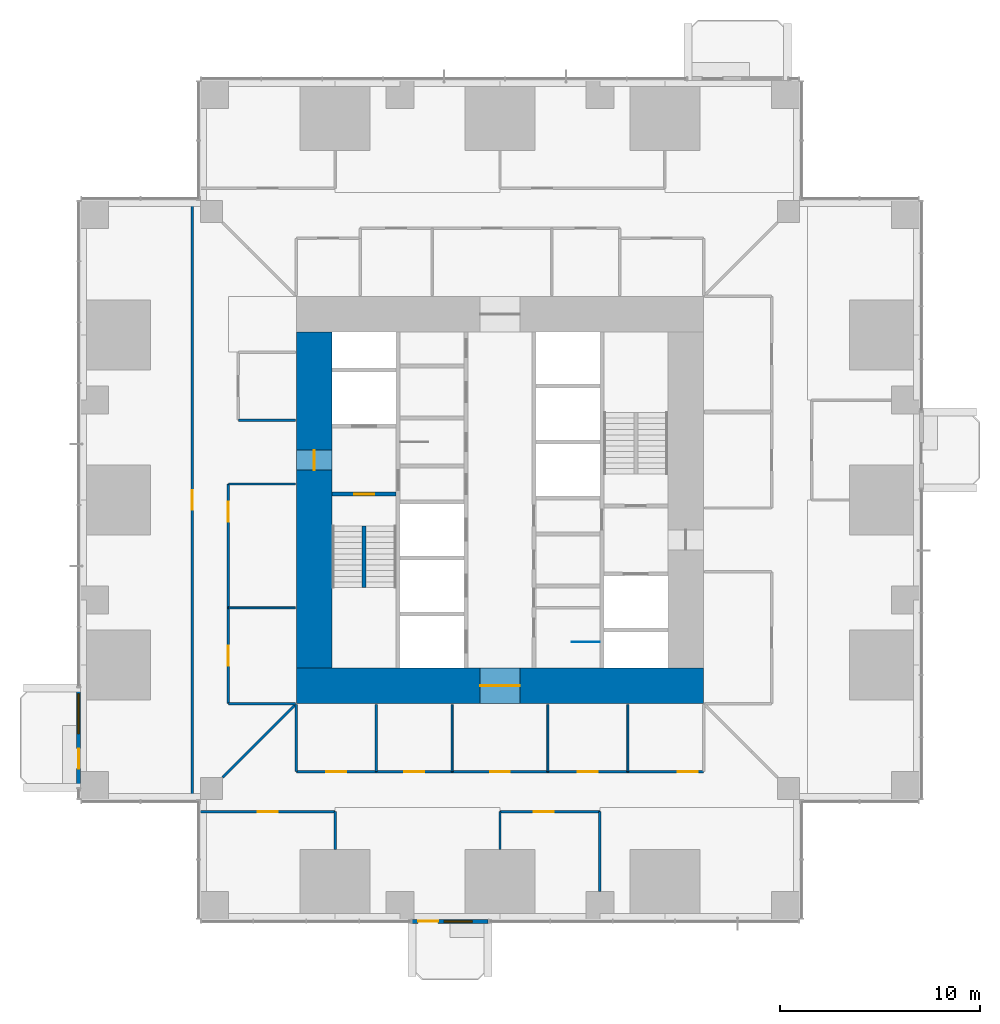
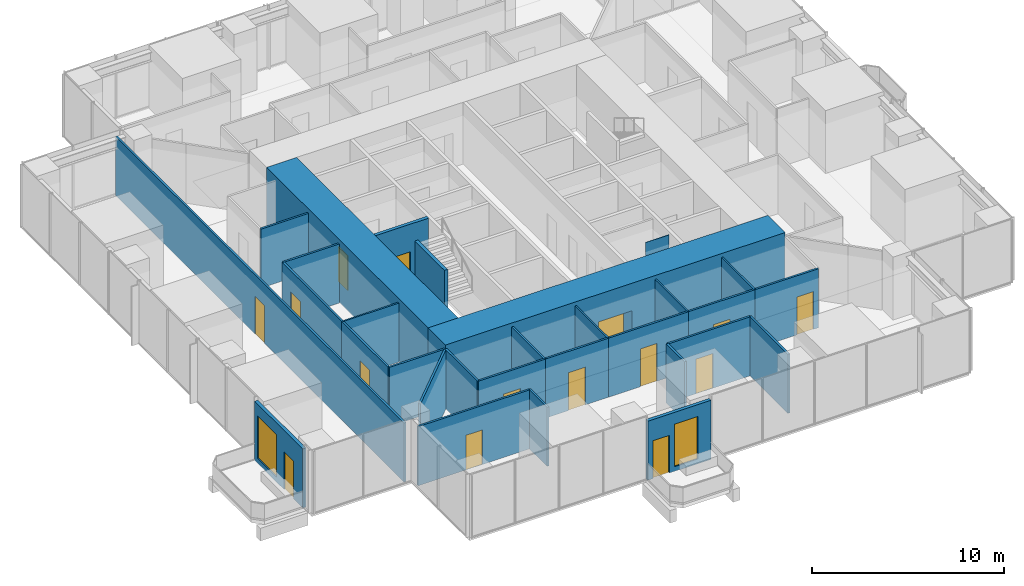
# One storey, part 11 of 18: 30 walls, 15 doors, 2 windows, 17 openings.
"""IFC4 building model written with IfcOpenShell, lengths in metres."""

from ifc_helpers import new_model, si_unit, direction, frame, frame_2d, origin, place, context, subcontext, project, spatial, rectangle, extrude, material, layer, layer_set, type_object, element, fill, save


model = new_model("IFC4")

# Units and contexts
model_context = context("Model", 3, precision=1e-05, world=origin(), true_north=direction((0.0, 1.0)))
body_context = subcontext(model_context, "Body", "Model", "MODEL_VIEW")
ifc_project = project(units=[si_unit("LENGTHUNIT", "METRE"), si_unit("AREAUNIT", "SQUARE_METRE"), si_unit("VOLUMEUNIT", "CUBIC_METRE"), si_unit("PLANEANGLEUNIT", "RADIAN"), si_unit("MASSUNIT", "GRAM", prefix="KILO")], contexts=[model_context])

# Site, building, storey
site_placement = place(None, origin())
site = spatial("IfcSite", under=ifc_project, at=site_placement, CompositionType="ELEMENT")
building_placement = place(site_placement, origin())
building = spatial("IfcBuilding", under=site, at=building_placement, Name="Svetlomir Tower", CompositionType="ELEMENT")
storey_placement = place(building_placement, frame((0.0, 0.0, 46.5)))
storey = spatial("IfcBuildingStorey", under=building, at=storey_placement, Name="L10", CompositionType="ELEMENT", Elevation=46.5)

# Wall, openings, door, window
ifc_material_1 = material(Name="Bronze anodised aluminium glazed screen", Category="aluminium")
ifc_layer_1 = layer(ifc_material_1, 0.199951171875)
ifc_layer_set_1 = layer_set([ifc_layer_1], Name="Bronze anodised aluminium glazed screen")
wall_type_1 = type_object("IfcWallType", Name="BALCONY SCREEN WALL 200", PredefinedType="USERDEFINED", material=ifc_layer_set_1)
wall_1_placement = place(storey_placement, frame((16.60009765625, -0.10009765625, 0.0), z_axis=(0.0, 0.0, 1.0), x_axis=(1.0, 0.0, 0.0)))
wall_1 = element("IfcWall", 1, at=wall_1_placement, inside=storey, type_object=wall_type_1, Name="Balcony screen S", ObjectType="GLAZED SCREEN", PredefinedType="USERDEFINED", context=body_context, shape_type="SweptSolid", body=[
    extrude(rectangle(XDim=3.7998046875, YDim=0.199951171875, at=frame_2d((1.89990234375, 0.0))), origin(), (0.0, 0.0, 1.0), 3.75),
])
opening_1_placement = place(wall_1_placement, frame((0.300048828125, 0.0, 0.0)))
opening_1 = element("IfcOpeningElement", 2, at=opening_1_placement, cuts=wall_1, Name="Opening BD", PredefinedType="OPENING", context=body_context, shape_type="SweptSolid", body=[
    extrude(rectangle(XDim=1.0, YDim=2.39990234375, at=frame_2d((0.5, 1.199951171875))), frame((0.0, 0.10986328125, 0.0), z_axis=(0.0, -1.0, 0.0), x_axis=(1.0, 0.0, 0.0)), (0.0, 0.0, 1.0), 0.219970703125),
])
opening_2_placement = place(wall_1_placement, frame((1.60009765625, 0.0, 0.300048828125)))
opening_2 = element("IfcOpeningElement", 3, at=opening_2_placement, cuts=wall_1, Name="Opening WS2", PredefinedType="OPENING", context=body_context, shape_type="SweptSolid", body=[
    extrude(rectangle(XDim=1.39990234375, YDim=2.699951171875, at=frame_2d((0.699951171875, 1.35009765625))), frame((0.0, 0.10986328125, 0.0), z_axis=(0.0, -1.0, 0.0), x_axis=(1.0, 0.0, 0.0)), (0.0, 0.0, 1.0), 0.219970703125),
])
ifc_material_2 = material(Name="Bronze anodised aluminium glazed door", Category="aluminium")
door_type_1 = type_object("IfcDoorType", Name="BALCONY DOOR BD 1000x2400", OperationType="SINGLE_SWING_LEFT", PredefinedType="DOOR", material=ifc_material_2)
door_1_placement = place(opening_1_placement, origin())
door_1 = element("IfcDoor", 4, at=door_1_placement, inside=storey, type_object=door_type_1, Name="Balcony screen S door", OperationType="SINGLE_SWING_LEFT", OverallHeight=2.39990234375, OverallWidth=1.0, PredefinedType="DOOR", context=body_context, shape_type="SweptSolid", body=[
    extrude(rectangle(XDim=1.0, YDim=2.39990234375, at=frame_2d((0.5, 1.199951171875))), frame((0.0, 0.02490234375, 0.0), z_axis=(0.0, -1.0, 0.0), x_axis=(1.0, 0.0, 0.0)), (0.0, 0.0, 1.0), 0.050048828125),
])
fill(opening_1, door_1)
ifc_material_3 = material(Name="Bronze anodised aluminium window", Category="aluminium")
window_type_1 = type_object("IfcWindowType", Name="SCREEN WINDOW WS2 1400x2700", PartitioningType="SINGLE_PANEL", PredefinedType="WINDOW", material=ifc_material_3)
window_1_placement = place(opening_2_placement, origin())
window_1 = element("IfcWindow", 5, at=window_1_placement, inside=storey, type_object=window_type_1, Name="Balcony screen S window 1", OverallHeight=2.699951171875, OverallWidth=1.39990234375, PartitioningType="SINGLE_PANEL", PredefinedType="WINDOW", context=body_context, shape_type="SweptSolid", body=[
    extrude(rectangle(XDim=1.39990234375, YDim=2.699951171875, at=frame_2d((0.699951171875, 1.35009765625))), frame((0.0, 0.030029296875, 0.0), z_axis=(0.0, -1.0, 0.0), x_axis=(1.0, 0.0, 0.0)), (0.0, 0.0, 1.0), 0.06005859375),
])
fill(opening_2, window_1)

wall_2_placement = place(storey_placement, frame((-0.10009765625, 11.60009765625, 0.0), z_axis=(0.0, 0.0, 1.0), x_axis=(0.0, -1.0, 0.0)))
wall_2 = element("IfcWall", 6, at=wall_2_placement, inside=storey, type_object=wall_type_1, Name="Balcony screen W", ObjectType="GLAZED SCREEN", PredefinedType="USERDEFINED", context=body_context, shape_type="SweptSolid", body=[
    extrude(rectangle(XDim=5.0, YDim=0.199951171875, at=frame_2d((2.5, 0.0))), origin(), (0.0, 0.0, 1.0), 3.75),
])
opening_3_placement = place(wall_2_placement, frame((3.050048828125, 0.0, 0.0)))
opening_3 = element("IfcOpeningElement", 7, at=opening_3_placement, cuts=wall_2, Name="Opening BD", PredefinedType="OPENING", context=body_context, shape_type="SweptSolid", body=[
    extrude(rectangle(XDim=1.0, YDim=2.39990234375, at=frame_2d((0.5, 1.199951171875))), frame((0.0, 0.10986328125, 0.0), z_axis=(0.0, -1.0, 0.0), x_axis=(1.0, 0.0, 0.0)), (0.0, 0.0, 1.0), 0.219970703125),
])
opening_4_placement = place(wall_2_placement, frame((0.300048828125, 0.0, 0.300048828125)))
opening_4 = element("IfcOpeningElement", 8, at=opening_4_placement, cuts=wall_2, Name="Opening WS", PredefinedType="OPENING", context=body_context, shape_type="SweptSolid", body=[
    extrude(rectangle(XDim=2.0, YDim=2.699951171875, at=frame_2d((1.0, 1.35009765625))), frame((0.0, 0.10986328125, 0.0), z_axis=(0.0, -1.0, 0.0), x_axis=(1.0, 0.0, 0.0)), (0.0, 0.0, 1.0), 0.219970703125),
])
door_2_placement = place(opening_3_placement, origin())
door_2 = element("IfcDoor", 9, at=door_2_placement, inside=storey, type_object=door_type_1, Name="Balcony screen W door", OperationType="SINGLE_SWING_LEFT", OverallHeight=2.39990234375, OverallWidth=1.0, PredefinedType="DOOR", context=body_context, shape_type="SweptSolid", body=[
    extrude(rectangle(XDim=1.0, YDim=2.39990234375, at=frame_2d((0.5, 1.199951171875))), frame((0.0, 0.02490234375, 0.0), z_axis=(0.0, -1.0, 0.0), x_axis=(1.0, 0.0, 0.0)), (0.0, 0.0, 1.0), 0.050048828125),
])
fill(opening_3, door_2)
ifc_material_4 = material(Name="Bronze anodised aluminium window", Category="aluminium")
window_type_2 = type_object("IfcWindowType", Name="SCREEN WINDOW WS 2000x2700", PartitioningType="SINGLE_PANEL", PredefinedType="WINDOW", material=ifc_material_4)
window_2_placement = place(opening_4_placement, origin())
window_2 = element("IfcWindow", 10, at=window_2_placement, inside=storey, type_object=window_type_2, Name="Balcony screen W window 1", OverallHeight=2.699951171875, OverallWidth=2.0, PartitioningType="SINGLE_PANEL", PredefinedType="WINDOW", context=body_context, shape_type="SweptSolid", body=[
    extrude(rectangle(XDim=2.0, YDim=2.699951171875, at=frame_2d((1.0, 1.35009765625))), frame((0.0, 0.030029296875, 0.0), z_axis=(0.0, -1.0, 0.0), x_axis=(1.0, 0.0, 0.0)), (0.0, 0.0, 1.0), 0.06005859375),
])
fill(opening_4, window_2)

# Wall, opening, door
ifc_material_5 = material(Name="Concrete C60/75", Category="concrete")
ifc_layer_2 = layer(ifc_material_5, 0.199951171875)
ifc_layer_set_2 = layer_set([ifc_layer_2], Name="Concrete C60/75")
wall_type_2 = type_object("IfcWallType", Name="CORE INNER WALL 200", PredefinedType="SHEAR", material=ifc_layer_set_2)
wall_3_placement = place(storey_placement, frame((12.60009765625, 21.300048828125, -0.050048828125), z_axis=(0.0, 0.0, 1.0), x_axis=(1.0, 0.0, 0.0)))
wall_3 = element("IfcWall", 11, at=wall_3_placement, inside=storey, type_object=wall_type_2, Name="Core inner wall 12.6-15.8/21.3 L10", PredefinedType="SHEAR", context=body_context, shape_type="SweptSolid", body=[
    extrude(rectangle(XDim=3.199951171875, YDim=0.199951171875, at=frame_2d((1.60009765625, 0.0))), origin(), (0.0, 0.0, 1.0), 4.0),
])
opening_5_placement = place(wall_3_placement, frame((1.10009765625, 0.0, 0.050048828125)))
opening_5 = element("IfcOpeningElement", 12, at=opening_5_placement, cuts=wall_3, Name="Opening DF", PredefinedType="OPENING", context=body_context, shape_type="SweptSolid", body=[
    extrude(rectangle(XDim=1.0, YDim=2.199951171875, at=frame_2d((0.5, 1.10009765625))), frame((0.0, 0.10986328125, 0.0), z_axis=(0.0, -1.0, 0.0), x_axis=(1.0, 0.0, 0.0)), (0.0, 0.0, 1.0), 0.219970703125),
])
ifc_material_6 = material(Name="Steel fire door", Category="steel")
door_type_2 = type_object("IfcDoorType", Name="DOOR DF 1000x2200", OperationType="SINGLE_SWING_LEFT", PredefinedType="DOOR", material=ifc_material_6)
door_3_placement = place(opening_5_placement, origin())
door_3 = element("IfcDoor", 13, at=door_3_placement, inside=storey, type_object=door_type_2, Name="Stair S1 door L10", OperationType="SINGLE_SWING_RIGHT", OverallHeight=2.199951171875, OverallWidth=1.0, PredefinedType="DOOR", context=body_context, shape_type="SweptSolid", body=[
    extrude(rectangle(XDim=1.0, YDim=2.199951171875, at=frame_2d((0.5, 1.10009765625))), frame((0.0, 0.02490234375, 0.0), z_axis=(0.0, -1.0, 0.0), x_axis=(1.0, 0.0, 0.0)), (0.0, 0.0, 1.0), 0.050048828125),
])
fill(opening_5, door_3)

ifc_material_7 = material(Name="Concrete C60/75", Category="concrete")
ifc_layer_3 = layer(ifc_material_7, 1.800048828125)
ifc_layer_set_3 = layer_set([ifc_layer_3], Name="Concrete C60/75")
wall_type_3 = type_object("IfcWallType", Name="CORE WALL 1800", PredefinedType="SHEAR", material=ifc_layer_set_3)
wall_4_placement = place(storey_placement, frame((10.800048828125, 11.699951171875, -0.050048828125), z_axis=(0.0, 0.0, 1.0), x_axis=(1.0, 0.0, 0.0)))
wall_4 = element("IfcWall", 14, at=wall_4_placement, inside=storey, type_object=wall_type_3, Name="Core wall south L10", PredefinedType="SHEAR", context=body_context, shape_type="SweptSolid", body=[
    extrude(rectangle(XDim=20.39990234375, YDim=1.800048828125, at=frame_2d((10.199951171875, 0.0))), origin(), (0.0, 0.0, 1.0), 4.0),
])
opening_6_placement = place(wall_4_placement, frame((9.199951171875, 0.0, 0.050048828125)))
opening_6 = element("IfcOpeningElement", 15, at=opening_6_placement, cuts=wall_4, Name="Opening DL", PredefinedType="OPENING", context=body_context, shape_type="SweptSolid", body=[
    extrude(rectangle(XDim=2.0, YDim=2.199951171875, at=frame_2d((1.0, 1.10009765625))), frame((0.0, 0.91015625, 0.0), z_axis=(0.0, -1.0, 0.0), x_axis=(1.0, 0.0, 0.0)), (0.0, 0.0, 1.0), 1.820068359375),
])
ifc_material_8 = material(Name="Steel fire door", Category="steel")
door_type_3 = type_object("IfcDoorType", Name="DOOR DL 2000x2200", OperationType="DOUBLE_DOOR_SINGLE_SWING", PredefinedType="DOOR", material=ifc_material_8)
door_4_placement = place(opening_6_placement, origin())
door_4 = element("IfcDoor", 16, at=door_4_placement, inside=storey, type_object=door_type_3, Name="Lift lobby south door L10", OperationType="DOUBLE_DOOR_SINGLE_SWING", OverallHeight=2.199951171875, OverallWidth=2.0, PredefinedType="DOOR", context=body_context, shape_type="SweptSolid", body=[
    extrude(rectangle(XDim=2.0, YDim=2.199951171875, at=frame_2d((1.0, 1.10009765625))), frame((0.0, 0.02490234375, 0.0), z_axis=(0.0, -1.0, 0.0), x_axis=(1.0, 0.0, 0.0)), (0.0, 0.0, 1.0), 0.050048828125),
])
fill(opening_6, door_4)

wall_5_placement = place(storey_placement, frame((11.699951171875, 12.60009765625, -0.050048828125), z_axis=(0.0, 0.0, 1.0), x_axis=(0.0, 1.0, 0.0)))
wall_5 = element("IfcWall", 17, at=wall_5_placement, inside=storey, type_object=wall_type_3, Name="Core wall west L10", PredefinedType="SHEAR", context=body_context, shape_type="SweptSolid", body=[
    extrude(rectangle(XDim=16.7998046875, YDim=1.800048828125, at=frame_2d((8.39990234375, 0.0))), origin(), (0.0, 0.0, 1.0), 4.0),
])
opening_7_placement = place(wall_5_placement, frame((9.89990234375, 0.0, 0.050048828125)))
opening_7 = element("IfcOpeningElement", 18, at=opening_7_placement, cuts=wall_5, Name="Opening DF", PredefinedType="OPENING", context=body_context, shape_type="SweptSolid", body=[
    extrude(rectangle(XDim=1.0, YDim=2.199951171875, at=frame_2d((0.5, 1.10009765625))), frame((0.0, 0.91015625, 0.0), z_axis=(0.0, -1.0, 0.0), x_axis=(1.0, 0.0, 0.0)), (0.0, 0.0, 1.0), 1.820068359375),
])
door_5_placement = place(opening_7_placement, origin())
door_5 = element("IfcDoor", 19, at=door_5_placement, inside=storey, type_object=door_type_2, Name="Firefighting lobby west door L10", OperationType="SINGLE_SWING_RIGHT", OverallHeight=2.199951171875, OverallWidth=1.0, PredefinedType="DOOR", context=body_context, shape_type="SweptSolid", body=[
    extrude(rectangle(XDim=1.0, YDim=2.199951171875, at=frame_2d((0.5, 1.10009765625))), frame((0.0, 0.02490234375, 0.0), z_axis=(0.0, -1.0, 0.0), x_axis=(1.0, 0.0, 0.0)), (0.0, 0.0, 1.0), 0.050048828125),
])
fill(opening_7, door_5)

# Walls
ifc_material_9 = material(Name="Framed laminated glass partition", Category="glass")
ifc_layer_4 = layer(ifc_material_9, 0.10009765625)
ifc_layer_set_4 = layer_set([ifc_layer_4], Name="Framed laminated glass partition")
wall_type_4 = type_object("IfcWallType", Name="GLAZED PARTITION 100", PredefinedType="PARTITIONING", material=ifc_layer_set_4)
for number, where, z_axis, x_axis, name in (
    (20, (7.39990234375, 15.60009765625, 0.0), (0.0, 0.0, 1.0), (1.0, 0.0, 0.0), "Glazed partition L10"),
    (21, (18.60009765625, 7.39990234375, 0.0), (0.0, 0.0, 1.0), (0.0, 1.0, 0.0), "Glazed partition L10"),
    (22, (23.39990234375, 7.39990234375, 0.0), (0.0, 0.0, 1.0), (0.0, 1.0, 0.0), "Glazed partition L10"),
    (23, (27.39990234375, 7.39990234375, 0.0), (0.0, 0.0, 1.0), (0.0, 1.0, 0.0), "Glazed partition L10"),
):
    element("IfcWall", number, at=place(storey_placement, frame(where, z_axis=z_axis, x_axis=x_axis)), inside=storey, type_object=wall_type_4, Name=name, PredefinedType="PARTITIONING", context=body_context, shape_type="SweptSolid", body=[
        extrude(rectangle(XDim=3.35009765625, YDim=0.10009765625, at=frame_2d((1.675048828125, 0.0))), origin(), (0.0, 0.0, 1.0), 3.75),
    ])

# Wall, opening, door
ifc_material_10 = material(Name="Gypsum board on steel studs", Category="steel")
ifc_layer_5 = layer(ifc_material_10, 0.1201171875)
ifc_layer_set_5 = layer_set([ifc_layer_5], Name="Gypsum board on steel studs")
wall_type_5 = type_object("IfcWallType", Name="PARTITION 120", PredefinedType="PARTITIONING", material=ifc_layer_set_5)
wall_6_placement = place(storey_placement, frame((5.60009765625, 6.0, 0.0), z_axis=(0.0, 0.0, 1.0), x_axis=(0.0, 1.0, 0.0)))
wall_6 = element("IfcWall", 24, at=wall_6_placement, inside=storey, type_object=wall_type_5, Name="Partition L10", PredefinedType="PARTITIONING", context=body_context, shape_type="SweptSolid", body=[
    extrude(rectangle(XDim=30.0, YDim=0.1201171875, at=frame_2d((15.0, 0.0))), origin(), (0.0, 0.0, 1.0), 3.75),
])
opening_8_placement = place(wall_6_placement, frame((14.5, 0.0, 0.0)))
opening_8 = element("IfcOpeningElement", 25, at=opening_8_placement, cuts=wall_6, Name="Opening DG", PredefinedType="OPENING", context=body_context, shape_type="SweptSolid", body=[
    extrude(rectangle(XDim=1.0, YDim=2.39990234375, at=frame_2d((0.5, 1.199951171875))), frame((0.0, 0.070068359375, 0.0), z_axis=(0.0, -1.0, 0.0), x_axis=(1.0, 0.0, 0.0)), (0.0, 0.0, 1.0), 0.14013671875),
])
ifc_material_11 = material(Name="Framed laminated glass door", Category="glass")
door_type_4 = type_object("IfcDoorType", Name="GLAZED DOOR DG 1000x2400", OperationType="SINGLE_SWING_LEFT", PredefinedType="DOOR", material=ifc_material_11)
door_6_placement = place(opening_8_placement, origin())
door_6 = element("IfcDoor", 26, at=door_6_placement, inside=storey, type_object=door_type_4, Name="Ring corridor 3 door 1 L10", OperationType="SINGLE_SWING_LEFT", OverallHeight=2.39990234375, OverallWidth=1.0, PredefinedType="DOOR", context=body_context, shape_type="SweptSolid", body=[
    extrude(rectangle(XDim=1.0, YDim=2.39990234375, at=frame_2d((0.5, 1.199951171875))), frame((0.0, 0.02490234375, 0.0), z_axis=(0.0, -1.0, 0.0), x_axis=(1.0, 0.0, 0.0)), (0.0, 0.0, 1.0), 0.050048828125),
])
fill(opening_8, door_6)

wall_7_placement = place(storey_placement, frame((6.0, 5.39990234375, 0.0), z_axis=(0.0, 0.0, 1.0), x_axis=(1.0, 0.0, 0.0)))
wall_7 = element("IfcWall", 27, at=wall_7_placement, inside=storey, type_object=wall_type_5, Name="Partition L10", PredefinedType="PARTITIONING", context=body_context, shape_type="SweptSolid", body=[
    extrude(rectangle(XDim=6.75, YDim=0.1201171875, at=frame_2d((3.375, 0.0))), origin(), (0.0, 0.0, 1.0), 3.75),
])
opening_9_placement = place(wall_7_placement, frame((2.875, 0.0, 0.0)))
opening_9 = element("IfcOpeningElement", 28, at=opening_9_placement, cuts=wall_7, Name="Opening DR", PredefinedType="OPENING", context=body_context, shape_type="SweptSolid", body=[
    extrude(rectangle(XDim=1.0, YDim=2.199951171875, at=frame_2d((0.5, 1.10009765625))), frame((0.0, 0.070068359375, 0.0), z_axis=(0.0, -1.0, 0.0), x_axis=(1.0, 0.0, 0.0)), (0.0, 0.0, 1.0), 0.14013671875),
])
ifc_material_12 = material(Name="Timber door, glazed side light", Category="wood")
door_type_5 = type_object("IfcDoorType", Name="DOOR DR 1000x2200", OperationType="SINGLE_SWING_LEFT", PredefinedType="DOOR", material=ifc_material_12)
door_7_placement = place(opening_9_placement, origin())
door_7 = element("IfcDoor", 29, at=door_7_placement, inside=storey, type_object=door_type_5, Name="Architecture team office door L10", OperationType="SINGLE_SWING_RIGHT", OverallHeight=2.199951171875, OverallWidth=1.0, PredefinedType="DOOR", context=body_context, shape_type="SweptSolid", body=[
    extrude(rectangle(XDim=1.0, YDim=2.199951171875, at=frame_2d((0.5, 1.10009765625))), frame((0.0, 0.02490234375, 0.0), z_axis=(0.0, -1.0, 0.0), x_axis=(1.0, 0.0, 0.0)), (0.0, 0.0, 1.0), 0.050048828125),
])
fill(opening_9, door_7)

# Wall
wall_8_placement = place(storey_placement, frame((7.110107421875, 7.110107421875, 0.0), z_axis=(0.0, 0.0, 1.0), x_axis=(0.707106781187, 0.707106781187, 0.0)))
element("IfcWall", 30, at=wall_8_placement, inside=storey, type_object=wall_type_5, Name="Partition L10", PredefinedType="PARTITIONING", context=body_context, shape_type="SweptSolid", body=[
    extrude(rectangle(XDim=5.168212890625, YDim=0.1201171875, at=frame_2d((2.583984375, 0.0))), origin(), (0.0, 0.0, 1.0), 3.75),
])

# Wall, opening, door
wall_9_placement = place(storey_placement, frame((7.39990234375, 10.800048828125, 0.0), z_axis=(0.0, 0.0, 1.0), x_axis=(0.0, 1.0, 0.0)))
wall_9 = element("IfcWall", 31, at=wall_9_placement, inside=storey, type_object=wall_type_5, Name="Partition L10", PredefinedType="PARTITIONING", context=body_context, shape_type="SweptSolid", body=[
    extrude(rectangle(XDim=4.800048828125, YDim=0.1201171875, at=frame_2d((2.39990234375, 0.0))), origin(), (0.0, 0.0, 1.0), 3.75),
])
opening_10_placement = place(wall_9_placement, frame((1.89990234375, 0.0, 0.0)))
opening_10 = element("IfcOpeningElement", 32, at=opening_10_placement, cuts=wall_9, Name="Opening DG", PredefinedType="OPENING", context=body_context, shape_type="SweptSolid", body=[
    extrude(rectangle(XDim=1.0, YDim=2.39990234375, at=frame_2d((0.5, 1.199951171875))), frame((0.0, 0.070068359375, 0.0), z_axis=(0.0, -1.0, 0.0), x_axis=(1.0, 0.0, 0.0)), (0.0, 0.0, 1.0), 0.14013671875),
])
door_8_placement = place(opening_10_placement, origin())
door_8 = element("IfcDoor", 33, at=door_8_placement, inside=storey, type_object=door_type_4, Name="Quiet coding room door L10", OperationType="SINGLE_SWING_RIGHT", OverallHeight=2.39990234375, OverallWidth=1.0, PredefinedType="DOOR", context=body_context, shape_type="SweptSolid", body=[
    extrude(rectangle(XDim=1.0, YDim=2.39990234375, at=frame_2d((0.5, 1.199951171875))), frame((0.0, 0.02490234375, 0.0), z_axis=(0.0, -1.0, 0.0), x_axis=(1.0, 0.0, 0.0)), (0.0, 0.0, 1.0), 0.050048828125),
])
fill(opening_10, door_8)

# Wall
wall_10_placement = place(storey_placement, frame((7.39990234375, 10.800048828125, 0.0), z_axis=(0.0, 0.0, 1.0), x_axis=(1.0, 0.0, 0.0)))
element("IfcWall", 34, at=wall_10_placement, inside=storey, type_object=wall_type_5, Name="Partition L10", PredefinedType="PARTITIONING", context=body_context, shape_type="SweptSolid", body=[
    extrude(rectangle(XDim=3.35009765625, YDim=0.1201171875, at=frame_2d((1.675048828125, 0.0))), origin(), (0.0, 0.0, 1.0), 3.75),
])

# Wall, opening, door
wall_11_placement = place(storey_placement, frame((7.39990234375, 15.60009765625, 0.0), z_axis=(0.0, 0.0, 1.0), x_axis=(0.0, 1.0, 0.0)))
wall_11 = element("IfcWall", 35, at=wall_11_placement, inside=storey, type_object=wall_type_5, Name="Partition L10", PredefinedType="PARTITIONING", context=body_context, shape_type="SweptSolid", body=[
    extrude(rectangle(XDim=6.199951171875, YDim=0.1201171875, at=frame_2d((3.10009765625, 0.0))), origin(), (0.0, 0.0, 1.0), 3.75),
])
opening_11_placement = place(wall_11_placement, frame((4.300048828125, 0.0, 0.0)))
opening_11 = element("IfcOpeningElement", 36, at=opening_11_placement, cuts=wall_11, Name="Opening DG", PredefinedType="OPENING", context=body_context, shape_type="SweptSolid", body=[
    extrude(rectangle(XDim=1.0, YDim=2.39990234375, at=frame_2d((0.5, 1.199951171875))), frame((0.0, 0.070068359375, 0.0), z_axis=(0.0, -1.0, 0.0), x_axis=(1.0, 0.0, 0.0)), (0.0, 0.0, 1.0), 0.14013671875),
])
door_9_placement = place(opening_11_placement, origin())
door_9 = element("IfcDoor", 37, at=door_9_placement, inside=storey, type_object=door_type_4, Name="Ring corridor 3 door 3 L10", OperationType="SINGLE_SWING_RIGHT", OverallHeight=2.39990234375, OverallWidth=1.0, PredefinedType="DOOR", context=body_context, shape_type="SweptSolid", body=[
    extrude(rectangle(XDim=1.0, YDim=2.39990234375, at=frame_2d((0.5, 1.199951171875))), frame((0.0, 0.02490234375, 0.0), z_axis=(0.0, -1.0, 0.0), x_axis=(1.0, 0.0, 0.0)), (0.0, 0.0, 1.0), 0.050048828125),
])
fill(opening_11, door_9)

# Walls
wall_12_placement = place(storey_placement, frame((7.39990234375, 21.800048828125, 0.0), z_axis=(0.0, 0.0, 1.0), x_axis=(1.0, 0.0, 0.0)))
element("IfcWall", 38, at=wall_12_placement, inside=storey, type_object=wall_type_5, Name="Partition L10", PredefinedType="PARTITIONING", context=body_context, shape_type="SweptSolid", body=[
    extrude(rectangle(XDim=3.35009765625, YDim=0.1201171875, at=frame_2d((1.675048828125, 0.0))), origin(), (0.0, 0.0, 1.0), 3.75),
])
wall_13_placement = place(storey_placement, frame((7.89990234375, 25.0, 0.0), z_axis=(0.0, 0.0, 1.0), x_axis=(1.0, 0.0, 0.0)))
element("IfcWall", 39, at=wall_13_placement, inside=storey, type_object=wall_type_5, Name="Partition L10", PredefinedType="PARTITIONING", context=body_context, shape_type="SweptSolid", body=[
    extrude(rectangle(XDim=2.85009765625, YDim=0.1201171875, at=frame_2d((1.425048828125, 0.0))), origin(), (0.0, 0.0, 1.0), 3.75),
])
wall_14_placement = place(storey_placement, frame((10.800048828125, 7.39990234375, 0.0), z_axis=(0.0, 0.0, 1.0), x_axis=(0.0, 1.0, 0.0)))
element("IfcWall", 40, at=wall_14_placement, inside=storey, type_object=wall_type_5, Name="Partition L10", PredefinedType="PARTITIONING", context=body_context, shape_type="SweptSolid", body=[
    extrude(rectangle(XDim=3.35009765625, YDim=0.1201171875, at=frame_2d((1.675048828125, 0.0))), origin(), (0.0, 0.0, 1.0), 3.75),
])

# Wall, opening, door
wall_15_placement = place(storey_placement, frame((10.800048828125, 7.39990234375, 0.0), z_axis=(0.0, 0.0, 1.0), x_axis=(1.0, 0.0, 0.0)))
wall_15 = element("IfcWall", 41, at=wall_15_placement, inside=storey, type_object=wall_type_5, Name="Partition L10", PredefinedType="PARTITIONING", context=body_context, shape_type="SweptSolid", body=[
    extrude(rectangle(XDim=4.0, YDim=0.1201171875, at=frame_2d((2.0, 0.0))), origin(), (0.0, 0.0, 1.0), 3.75),
])
opening_12_placement = place(wall_15_placement, frame((1.5, 0.0, 0.0)))
opening_12 = element("IfcOpeningElement", 42, at=opening_12_placement, cuts=wall_15, Name="Opening DG", PredefinedType="OPENING", context=body_context, shape_type="SweptSolid", body=[
    extrude(rectangle(XDim=1.0, YDim=2.39990234375, at=frame_2d((0.5, 1.199951171875))), frame((0.0, 0.070068359375, 0.0), z_axis=(0.0, -1.0, 0.0), x_axis=(1.0, 0.0, 0.0)), (0.0, 0.0, 1.0), 0.14013671875),
])
door_10_placement = place(opening_12_placement, origin())
door_10 = element("IfcDoor", 43, at=door_10_placement, inside=storey, type_object=door_type_4, Name="Code review room, 4 seats door L10", OperationType="SINGLE_SWING_LEFT", OverallHeight=2.39990234375, OverallWidth=1.0, PredefinedType="DOOR", context=body_context, shape_type="SweptSolid", body=[
    extrude(rectangle(XDim=1.0, YDim=2.39990234375, at=frame_2d((0.5, 1.199951171875))), frame((0.0, 0.02490234375, 0.0), z_axis=(0.0, -1.0, 0.0), x_axis=(1.0, 0.0, 0.0)), (0.0, 0.0, 1.0), 0.050048828125),
])
fill(opening_12, door_10)

# Walls
wall_16_placement = place(storey_placement, frame((12.75, 3.510009765625, 0.0), z_axis=(0.0, 0.0, 1.0), x_axis=(0.0, 1.0, 0.0)))
element("IfcWall", 44, at=wall_16_placement, inside=storey, type_object=wall_type_5, Name="Partition L10", PredefinedType="PARTITIONING", context=body_context, shape_type="SweptSolid", body=[
    extrude(rectangle(XDim=1.889892578125, YDim=0.1201171875, at=frame_2d((0.94482421875, 0.0))), origin(), (0.0, 0.0, 1.0), 3.75),
])
wall_17_placement = place(storey_placement, frame((14.800048828125, 7.39990234375, 0.0), z_axis=(0.0, 0.0, 1.0), x_axis=(0.0, 1.0, 0.0)))
element("IfcWall", 45, at=wall_17_placement, inside=storey, type_object=wall_type_5, Name="Partition L10", PredefinedType="PARTITIONING", context=body_context, shape_type="SweptSolid", body=[
    extrude(rectangle(XDim=3.35009765625, YDim=0.1201171875, at=frame_2d((1.675048828125, 0.0))), origin(), (0.0, 0.0, 1.0), 3.75),
])

# Wall, opening, door
wall_18_placement = place(storey_placement, frame((14.800048828125, 7.39990234375, 0.0), z_axis=(0.0, 0.0, 1.0), x_axis=(1.0, 0.0, 0.0)))
wall_18 = element("IfcWall", 46, at=wall_18_placement, inside=storey, type_object=wall_type_5, Name="Partition L10", PredefinedType="PARTITIONING", context=body_context, shape_type="SweptSolid", body=[
    extrude(rectangle(XDim=3.800048828125, YDim=0.1201171875, at=frame_2d((1.89990234375, 0.0))), origin(), (0.0, 0.0, 1.0), 3.75),
])
opening_13_placement = place(wall_18_placement, frame((1.39990234375, 0.0, 0.0)))
opening_13 = element("IfcOpeningElement", 47, at=opening_13_placement, cuts=wall_18, Name="Opening DG", PredefinedType="OPENING", context=body_context, shape_type="SweptSolid", body=[
    extrude(rectangle(XDim=1.0, YDim=2.39990234375, at=frame_2d((0.5, 1.199951171875))), frame((0.0, 0.070068359375, 0.0), z_axis=(0.0, -1.0, 0.0), x_axis=(1.0, 0.0, 0.0)), (0.0, 0.0, 1.0), 0.14013671875),
])
door_11_placement = place(opening_13_placement, origin())
door_11 = element("IfcDoor", 48, at=door_11_placement, inside=storey, type_object=door_type_4, Name="Phone rooms door L10", OperationType="SINGLE_SWING_RIGHT", OverallHeight=2.39990234375, OverallWidth=1.0, PredefinedType="DOOR", context=body_context, shape_type="SweptSolid", body=[
    extrude(rectangle(XDim=1.0, YDim=2.39990234375, at=frame_2d((0.5, 1.199951171875))), frame((0.0, 0.02490234375, 0.0), z_axis=(0.0, -1.0, 0.0), x_axis=(1.0, 0.0, 0.0)), (0.0, 0.0, 1.0), 0.050048828125),
])
fill(opening_13, door_11)

wall_19_placement = place(storey_placement, frame((18.60009765625, 7.39990234375, 0.0), z_axis=(0.0, 0.0, 1.0), x_axis=(1.0, 0.0, 0.0)))
wall_19 = element("IfcWall", 49, at=wall_19_placement, inside=storey, type_object=wall_type_5, Name="Partition L10", PredefinedType="PARTITIONING", context=body_context, shape_type="SweptSolid", body=[
    extrude(rectangle(XDim=4.7998046875, YDim=0.1201171875, at=frame_2d((2.39990234375, 0.0))), origin(), (0.0, 0.0, 1.0), 3.75),
])
opening_14_placement = place(wall_19_placement, frame((1.89990234375, 0.0, 0.0)))
opening_14 = element("IfcOpeningElement", 50, at=opening_14_placement, cuts=wall_19, Name="Opening DG", PredefinedType="OPENING", context=body_context, shape_type="SweptSolid", body=[
    extrude(rectangle(XDim=1.0, YDim=2.39990234375, at=frame_2d((0.5, 1.199951171875))), frame((0.0, 0.070068359375, 0.0), z_axis=(0.0, -1.0, 0.0), x_axis=(1.0, 0.0, 0.0)), (0.0, 0.0, 1.0), 0.14013671875),
])
door_12_placement = place(opening_14_placement, origin())
door_12 = element("IfcDoor", 51, at=door_12_placement, inside=storey, type_object=door_type_4, Name="Ring corridor 1 door 3 L10", OperationType="SINGLE_SWING_RIGHT", OverallHeight=2.39990234375, OverallWidth=1.0, PredefinedType="DOOR", context=body_context, shape_type="SweptSolid", body=[
    extrude(rectangle(XDim=1.0, YDim=2.39990234375, at=frame_2d((0.5, 1.199951171875))), frame((0.0, 0.02490234375, 0.0), z_axis=(0.0, -1.0, 0.0), x_axis=(1.0, 0.0, 0.0)), (0.0, 0.0, 1.0), 0.050048828125),
])
fill(opening_14, door_12)

# Wall
wall_20_placement = place(storey_placement, frame((21.0, 3.510009765625, 0.0), z_axis=(0.0, 0.0, 1.0), x_axis=(0.0, 1.0, 0.0)))
element("IfcWall", 52, at=wall_20_placement, inside=storey, type_object=wall_type_5, Name="Partition L10", PredefinedType="PARTITIONING", context=body_context, shape_type="SweptSolid", body=[
    extrude(rectangle(XDim=1.889892578125, YDim=0.1201171875, at=frame_2d((0.94482421875, 0.0))), origin(), (0.0, 0.0, 1.0), 3.75),
])

# Wall, opening, door
wall_21_placement = place(storey_placement, frame((21.0, 5.39990234375, 0.0), z_axis=(0.0, 0.0, 1.0), x_axis=(1.0, 0.0, 0.0)))
wall_21 = element("IfcWall", 53, at=wall_21_placement, inside=storey, type_object=wall_type_5, Name="Partition L10", PredefinedType="PARTITIONING", context=body_context, shape_type="SweptSolid", body=[
    extrude(rectangle(XDim=5.0, YDim=0.1201171875, at=frame_2d((2.5, 0.0))), origin(), (0.0, 0.0, 1.0), 3.75),
])
opening_15_placement = place(wall_21_placement, frame((1.699951171875, 0.0, 0.0)))
opening_15 = element("IfcOpeningElement", 54, at=opening_15_placement, cuts=wall_21, Name="Opening DR", PredefinedType="OPENING", context=body_context, shape_type="SweptSolid", body=[
    extrude(rectangle(XDim=1.0, YDim=2.199951171875, at=frame_2d((0.5, 1.10009765625))), frame((0.0, 0.070068359375, 0.0), z_axis=(0.0, -1.0, 0.0), x_axis=(1.0, 0.0, 0.0)), (0.0, 0.0, 1.0), 0.14013671875),
])
door_13_placement = place(opening_15_placement, origin())
door_13 = element("IfcDoor", 55, at=door_13_placement, inside=storey, type_object=door_type_5, Name="Head of engineering office door L10", OperationType="SINGLE_SWING_LEFT", OverallHeight=2.199951171875, OverallWidth=1.0, PredefinedType="DOOR", context=body_context, shape_type="SweptSolid", body=[
    extrude(rectangle(XDim=1.0, YDim=2.199951171875, at=frame_2d((0.5, 1.10009765625))), frame((0.0, 0.02490234375, 0.0), z_axis=(0.0, -1.0, 0.0), x_axis=(1.0, 0.0, 0.0)), (0.0, 0.0, 1.0), 0.050048828125),
])
fill(opening_15, door_13)

wall_22_placement = place(storey_placement, frame((23.39990234375, 7.39990234375, 0.0), z_axis=(0.0, 0.0, 1.0), x_axis=(1.0, 0.0, 0.0)))
wall_22 = element("IfcWall", 56, at=wall_22_placement, inside=storey, type_object=wall_type_5, Name="Partition L10", PredefinedType="PARTITIONING", context=body_context, shape_type="SweptSolid", body=[
    extrude(rectangle(XDim=4.0, YDim=0.1201171875, at=frame_2d((2.0, 0.0))), origin(), (0.0, 0.0, 1.0), 3.75),
])
opening_16_placement = place(wall_22_placement, frame((1.5, 0.0, 0.0)))
opening_16 = element("IfcOpeningElement", 57, at=opening_16_placement, cuts=wall_22, Name="Opening DG", PredefinedType="OPENING", context=body_context, shape_type="SweptSolid", body=[
    extrude(rectangle(XDim=1.0, YDim=2.39990234375, at=frame_2d((0.5, 1.199951171875))), frame((0.0, 0.070068359375, 0.0), z_axis=(0.0, -1.0, 0.0), x_axis=(1.0, 0.0, 0.0)), (0.0, 0.0, 1.0), 0.14013671875),
])
door_14_placement = place(opening_16_placement, origin())
door_14 = element("IfcDoor", 58, at=door_14_placement, inside=storey, type_object=door_type_4, Name="Hardware workshop door L10", OperationType="SINGLE_SWING_LEFT", OverallHeight=2.39990234375, OverallWidth=1.0, PredefinedType="DOOR", context=body_context, shape_type="SweptSolid", body=[
    extrude(rectangle(XDim=1.0, YDim=2.39990234375, at=frame_2d((0.5, 1.199951171875))), frame((0.0, 0.02490234375, 0.0), z_axis=(0.0, -1.0, 0.0), x_axis=(1.0, 0.0, 0.0)), (0.0, 0.0, 1.0), 0.050048828125),
])
fill(opening_16, door_14)

# Wall
wall_23_placement = place(storey_placement, frame((26.0, 1.409912109375, 0.0), z_axis=(0.0, 0.0, 1.0), x_axis=(0.0, 1.0, 0.0)))
element("IfcWall", 59, at=wall_23_placement, inside=storey, type_object=wall_type_5, Name="Partition L10", PredefinedType="PARTITIONING", context=body_context, shape_type="SweptSolid", body=[
    extrude(rectangle(XDim=3.989990234375, YDim=0.1201171875, at=frame_2d((1.9951171875, 0.0))), origin(), (0.0, 0.0, 1.0), 3.75),
])

# Wall, opening, door
wall_24_placement = place(storey_placement, frame((27.39990234375, 7.39990234375, 0.0), z_axis=(0.0, 0.0, 1.0), x_axis=(1.0, 0.0, 0.0)))
wall_24 = element("IfcWall", 60, at=wall_24_placement, inside=storey, type_object=wall_type_5, Name="Partition L10", PredefinedType="PARTITIONING", context=body_context, shape_type="SweptSolid", body=[
    extrude(rectangle(XDim=3.800048828125, YDim=0.1201171875, at=frame_2d((1.89990234375, 0.0))), origin(), (0.0, 0.0, 1.0), 3.75),
])
opening_17_placement = place(wall_24_placement, frame((2.5, 0.0, 0.0)))
opening_17 = element("IfcOpeningElement", 61, at=opening_17_placement, cuts=wall_24, Name="Opening DG", PredefinedType="OPENING", context=body_context, shape_type="SweptSolid", body=[
    extrude(rectangle(XDim=1.0, YDim=2.39990234375, at=frame_2d((0.5, 1.199951171875))), frame((0.0, 0.070068359375, 0.0), z_axis=(0.0, -1.0, 0.0), x_axis=(1.0, 0.0, 0.0)), (0.0, 0.0, 1.0), 0.14013671875),
])
door_15_placement = place(opening_17_placement, origin())
door_15 = element("IfcDoor", 62, at=door_15_placement, inside=storey, type_object=door_type_4, Name="Ring corridor 1 door 4 L10", OperationType="SINGLE_SWING_RIGHT", OverallHeight=2.39990234375, OverallWidth=1.0, PredefinedType="DOOR", context=body_context, shape_type="SweptSolid", body=[
    extrude(rectangle(XDim=1.0, YDim=2.39990234375, at=frame_2d((0.5, 1.199951171875))), frame((0.0, 0.02490234375, 0.0), z_axis=(0.0, -1.0, 0.0), x_axis=(1.0, 0.0, 0.0)), (0.0, 0.0, 1.0), 0.050048828125),
])
fill(opening_17, door_15)

# Walls
ifc_material_13 = material(Name="Concrete C60/75", Category="concrete")
ifc_layer_6 = layer(ifc_material_13, 0.199951171875)
ifc_layer_set_6 = layer_set([ifc_layer_6], Name="Concrete C60/75")
wall_type_6 = type_object("IfcWallType", Name="STAIR SPINE WALL 200", PredefinedType="PARTITIONING", material=ifc_layer_set_6)
wall_25_placement = place(storey_placement, frame((14.199951171875, 16.6201171875, 0.0), z_axis=(0.0, 0.0, 1.0), x_axis=(0.0, 1.0, 0.0)))
element("IfcWall", 63, at=wall_25_placement, inside=storey, type_object=wall_type_6, Name="Stair S1 spine wall L10", PredefinedType="PARTITIONING", context=body_context, shape_type="SweptSolid", body=[
    extrude(rectangle(XDim=3.079833984375, YDim=0.199951171875, at=frame_2d((1.5400390625, 0.0))), origin(), (0.0, 0.0, 1.0), 4.0),
])
ifc_material_14 = material(Name="Compact laminate panel", Category="plastic")
ifc_layer_7 = layer(ifc_material_14, 0.030029296875)
ifc_layer_set_7 = layer_set([ifc_layer_7], Name="Compact laminate panel")
wall_type_7 = type_object("IfcWallType", Name="WC CUBICLE PARTITION 30", PredefinedType="PARTITIONING", material=ifc_layer_set_7)
wall_26_placement = place(storey_placement, frame((24.60009765625, 13.89990234375, 0.0), z_axis=(0.0, 0.0, 1.0), x_axis=(1.0, 0.0, 0.0)))
element("IfcWall", 64, at=wall_26_placement, inside=storey, type_object=wall_type_7, Name="WC cubicle partition L10", PredefinedType="PARTITIONING", context=body_context, shape_type="SweptSolid", body=[
    extrude(rectangle(XDim=1.39990234375, YDim=0.030029296875, at=frame_2d((0.699951171875, 0.0))), origin(), (0.0, 0.0, 1.0), 3.75),
])

save(model, "model.ifc")
